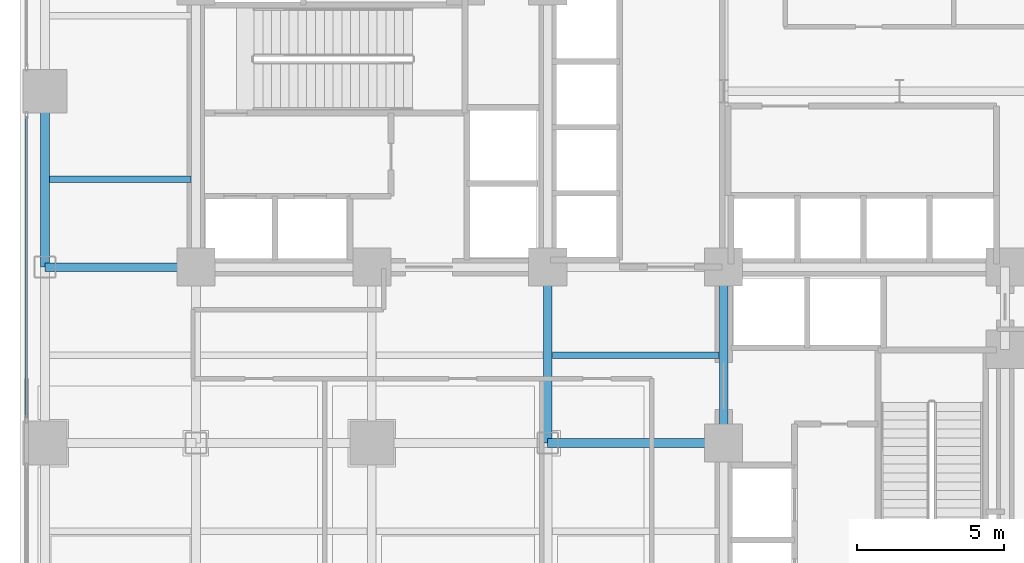
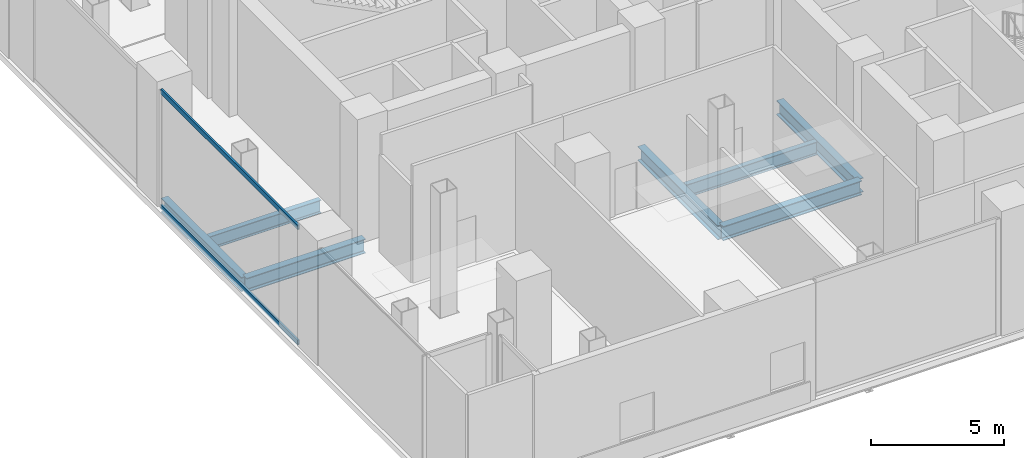
# One storey, part 6 of 27: 7 beams, 2 members, 1 element without a shape of its own.
"""IFC4 building model written with IfcOpenShell, lengths in metres."""

from ifc_helpers import new_model, si_unit, direction, frame, origin, origin_2d, place, context, subcontext, project, spatial, hollow_rectangle, i_section, extrude, material, layer, layer_set, material_profile, profile_set, type_object, element, aggregate, save


model = new_model("IFC4")

# Units and contexts
model_context = context("Model", 3, precision=1e-05, world=origin(), true_north=direction((0.0, 1.0)))
body_context = subcontext(model_context, "Body", "Model", "MODEL_VIEW")
ifc_project = project(units=[si_unit("LENGTHUNIT", "METRE"), si_unit("AREAUNIT", "SQUARE_METRE"), si_unit("VOLUMEUNIT", "CUBIC_METRE"), si_unit("PLANEANGLEUNIT", "RADIAN"), si_unit("MASSUNIT", "GRAM", prefix="KILO"), si_unit("THERMODYNAMICTEMPERATUREUNIT", "KELVIN"), si_unit("POWERUNIT", "WATT")], contexts=[model_context])

# Site, building, storey
site_placement = place(None, origin())
site = spatial("IfcSite", under=ifc_project, at=site_placement, CompositionType="ELEMENT")
building_placement = place(site_placement, origin())
building = spatial("IfcBuilding", under=site, at=building_placement, Name="Svarakhadi Broadcast Tower", CompositionType="ELEMENT")
storey_placement = place(building_placement, frame((0.0, 0.0, 21.89990234375)))
storey = spatial("IfcBuildingStorey", under=building, at=storey_placement, Name="L04", CompositionType="ELEMENT", Elevation=21.89990234375)

# Beams
ifc_material_1 = material(Name="Steel S355J2 (IS 2062 E350C)", Category="steel")
ifc_material_profile_1 = material_profile(ifc_material_1, i_section(OverallWidth=0.219970703125, OverallDepth=0.60009765625, WebThickness=0.011962890625, FlangeThickness=0.01904296875, FilletRadius=0.02392578125, at=origin_2d()), Name="NPB 600x220x122")
ifc_profile_set_1 = profile_set([ifc_material_profile_1], Name="Steel S355J2 (IS 2062 E350C)")
beam_type_1 = type_object("IfcBeamType", Name="Beam_NPB600", PredefinedType="BEAM", material=ifc_profile_set_1)
beam_1_placement = place(storey_placement, frame((1.010009765625, 21.0, -0.574951171875), z_axis=(1.0, 0.0, 0.0), x_axis=(0.0, 1.0, 0.0)))
element("IfcBeam", 1, at=beam_1_placement, inside=storey, type_object=beam_type_1, Name="L04 Secondary Composite Beam SB003", PredefinedType="BEAM", context=body_context, shape_type="SweptSolid", body=[
    extrude(i_section(OverallWidth=0.219970703125, OverallDepth=0.60009765625, WebThickness=0.011962890625, FlangeThickness=0.01904296875, FilletRadius=0.02392578125, at=origin_2d()), origin(), (0.0, 0.0, 1.0), 4.830078125),
])
beam_2_placement = place(storey_placement, frame((18.159912109375, 15.0, -0.574951171875), z_axis=(1.0, 0.0, 0.0), x_axis=(0.0, 1.0, 0.0)))
element("IfcBeam", 2, at=beam_2_placement, inside=storey, type_object=beam_type_1, Name="L04 Secondary Composite Beam SB015", PredefinedType="BEAM", context=body_context, shape_type="SweptSolid", body=[
    extrude(i_section(OverallWidth=0.219970703125, OverallDepth=0.60009765625, WebThickness=0.011962890625, FlangeThickness=0.01904296875, FilletRadius=0.02392578125, at=origin_2d()), origin(), (0.0, 0.0, 1.0), 5.68017578125),
])

# Curtain wall, members
ifc_material_2 = material(Name="Anodised Bronze Aluminium AA 6063-T6", Category="aluminium")
ifc_layer = layer(ifc_material_2, 0.25)
ifc_layer_set = layer_set([ifc_layer], Name="Anodised Bronze Aluminium AA 6063-T6")
curtain_wall_type = type_object("IfcCurtainWallType", Name="CW_Sys_01", PredefinedType="NOTDEFINED", material=ifc_layer_set)
curtain_wall_placement = place(storey_placement, origin())
curtain_wall = element("IfcCurtainWall", 3, at=curtain_wall_placement, inside=storey, type_object=curtain_wall_type, Name="L04 Unitised Facade Curtain Wall 02 Bay 2", PredefinedType="NOTDEFINED")
ifc_material_profile_2 = material_profile(ifc_material_2, hollow_rectangle(XDim=0.0849609375, YDim=0.219970703125, WallThickness=0.0048828125, at=origin_2d()), Name="ALU TRANSOM 220x85x5")
ifc_profile_set_2 = profile_set([ifc_material_profile_2], Name="Anodised Bronze Aluminium AA 6063-T6")
member_type = type_object("IfcMemberType", Name="CW_Sys_01_Trn", PredefinedType="USERDEFINED", material=ifc_profile_set_2)
member_1_placement = place(storey_placement, frame((0.219970703125, 12.864990234375, 0.04248046875), z_axis=(0.0, 1.0, 0.0), x_axis=(-1.0, 0.0, 0.0)))
member_1 = element("IfcMember", 4, at=member_1_placement, type_object=member_type, Name="CW-01 transom 1.1", ObjectType="TRANSOM", PredefinedType="USERDEFINED", context=body_context, shape_type="SweptSolid", body=[
    extrude(hollow_rectangle(XDim=0.0849609375, YDim=0.219970703125, WallThickness=0.0048828125, at=origin_2d()), origin(), (0.0, 0.0, 1.0), 10.27001953125),
])
member_2_placement = place(storey_placement, frame((0.219970703125, 12.864990234375, 5.3076171875), z_axis=(0.0, 1.0, 0.0), x_axis=(-1.0, 0.0, 0.0)))
member_2 = element("IfcMember", 5, at=member_2_placement, type_object=member_type, Name="CW-01 transom 1.2", ObjectType="TRANSOM", PredefinedType="USERDEFINED", context=body_context, shape_type="SweptSolid", body=[
    extrude(hollow_rectangle(XDim=0.0849609375, YDim=0.219970703125, WallThickness=0.0048828125, at=origin_2d()), origin(), (0.0, 0.0, 1.0), 10.27001953125),
])
aggregate(curtain_wall, [member_1, member_2])

# Beams
ifc_material_profile_3 = material_profile(ifc_material_1, i_section(OverallWidth=0.300048828125, OverallDepth=0.64990234375, WebThickness=0.01611328125, FlangeThickness=0.031005859375, FilletRadius=0.027099609375, at=origin_2d()), Name="WPB 650x300x225")
ifc_profile_set_3 = profile_set([ifc_material_profile_3], Name="Steel S355J2 (IS 2062 E350C)")
beam_type_2 = type_object("IfcBeamType", Name="Girder_WPB650", PredefinedType="USERDEFINED", material=ifc_profile_set_3)
beam_3_placement = place(storey_placement, frame((18.0, 12.0, -0.599853515625), z_axis=(1.0, 0.0, 0.0), x_axis=(0.0, 1.0, 0.0)))
element("IfcBeam", 6, at=beam_3_placement, inside=storey, type_object=beam_type_2, Name="L04 Primary E-W Girder G017", ObjectType="GIRDER", PredefinedType="USERDEFINED", context=body_context, shape_type="SweptSolid", body=[
    extrude(i_section(OverallWidth=0.300048828125, OverallDepth=0.64990234375, WebThickness=0.01611328125, FlangeThickness=0.031005859375, FilletRadius=0.027099609375, at=origin_2d()), origin(), (0.0, 0.0, 1.0), 6.0),
])
beam_4_placement = place(storey_placement, frame((0.85009765625, 18.0, -0.599853515625), z_axis=(1.0, 0.0, 0.0), x_axis=(0.0, 1.0, 0.0)))
element("IfcBeam", 7, at=beam_4_placement, inside=storey, type_object=beam_type_2, Name="L04 Primary E-W Girder G020", ObjectType="GIRDER", PredefinedType="USERDEFINED", context=body_context, shape_type="SweptSolid", body=[
    extrude(i_section(OverallWidth=0.300048828125, OverallDepth=0.64990234375, WebThickness=0.01611328125, FlangeThickness=0.031005859375, FilletRadius=0.027099609375, at=origin_2d()), origin(), (0.0, 0.0, 1.0), 5.14990234375),
])
for number, where, z_axis, x_axis, name in (
    (8, (0.85009765625, 18.0, -0.599853515625), (0.0, 1.0, 0.0), (-1.0, 0.0, 0.0), "L04 Primary N-S Girder G046"),
    (9, (18.0, 12.0, -0.599853515625), (0.0, 1.0, 0.0), (-1.0, 0.0, 0.0), "L04 Primary N-S Girder G060"),
    (10, (24.0, 12.0, -0.599853515625), (0.0, 1.0, 0.0), (-1.0, 0.0, 0.0), "L04 Primary N-S Girder G066"),
):
    element("IfcBeam", number, at=place(storey_placement, frame(where, z_axis=z_axis, x_axis=x_axis)), inside=storey, type_object=beam_type_2, Name=name, ObjectType="GIRDER", PredefinedType="USERDEFINED", context=body_context, shape_type="SweptSolid", body=[
        extrude(i_section(OverallWidth=0.300048828125, OverallDepth=0.64990234375, WebThickness=0.01611328125, FlangeThickness=0.031005859375, FilletRadius=0.027099609375, at=origin_2d()), origin(), (0.0, 0.0, 1.0), 6.0),
    ])

save(model, "model.ifc")
